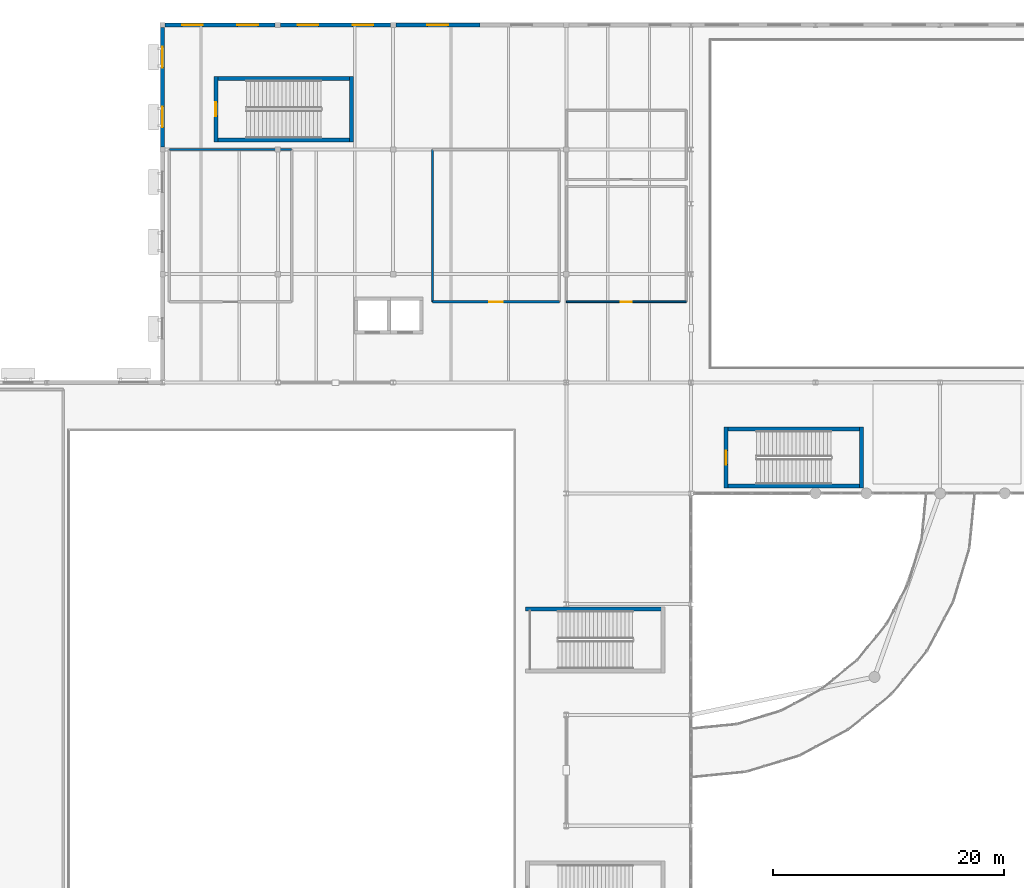
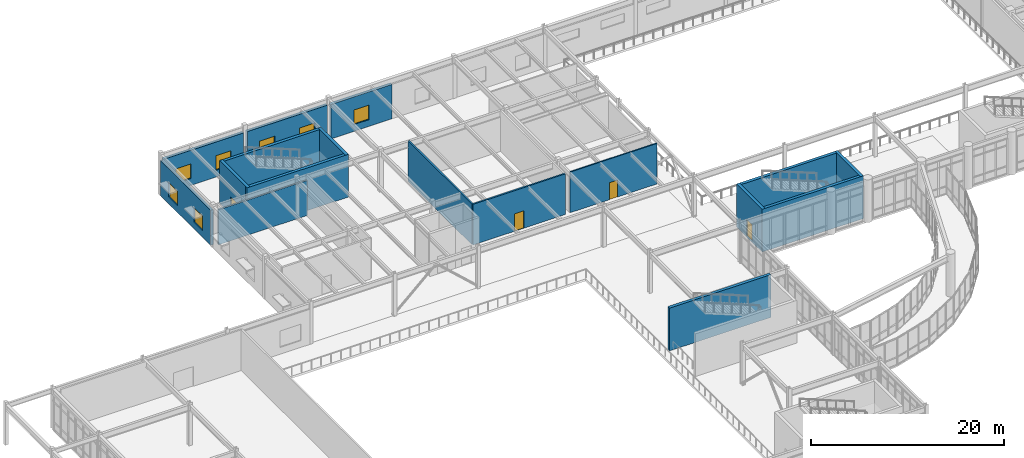
# One storey, part 50 of 72: 17 walls, 7 windows, 4 doors, 11 openings.
"""IFC4 building model written with IfcOpenShell, lengths in metres."""

from ifc_helpers import new_model, si_unit, direction, frame, frame_2d, origin, place, context, subcontext, project, spatial, rectangle, extrude, material, layer, layer_set, type_object, element, fill, save


model = new_model("IFC4")

# Units and contexts
model_context = context("Model", 3, precision=1e-05, world=origin(), true_north=direction((0.0, 1.0)))
body_context = subcontext(model_context, "Body", "Model", "MODEL_VIEW")
ifc_project = project(units=[si_unit("LENGTHUNIT", "METRE"), si_unit("AREAUNIT", "SQUARE_METRE"), si_unit("VOLUMEUNIT", "CUBIC_METRE"), si_unit("PLANEANGLEUNIT", "RADIAN"), si_unit("MASSUNIT", "GRAM", prefix="KILO")], contexts=[model_context])

# Site, building, storey
site_placement = place(None, origin())
site = spatial("IfcSite", under=ifc_project, at=site_placement, CompositionType="ELEMENT")
building_placement = place(site_placement, origin())
building = spatial("IfcBuilding", under=site, at=building_placement, Name="Veldera Park Congress Hotel", CompositionType="ELEMENT")
storey_placement = place(building_placement, frame((0.0, 0.0, 5.39990234375)))
storey = spatial("IfcBuildingStorey", under=building, at=storey_placement, Name="L01", CompositionType="ELEMENT", Elevation=5.39990234375)

# Wall, openings, windows
ifc_material_1 = material(Name="Cross-laminated timber CLT V2M1.1", Category="wood")
ifc_layer_1 = layer(ifc_material_1, 0.320068359375)
ifc_layer_set_1 = layer_set([ifc_layer_1], Name="Cross-laminated timber CLT V2M1.1")
wall_type_1 = type_object("IfcWallType", Name="EW-CLT320", PredefinedType="STANDARD", material=ifc_layer_set_1)
wall_1_placement = place(storey_placement, frame((-47.39990234375, 57.777099609375, 0.0), z_axis=(0.0, 0.0, 1.0), x_axis=(0.0, -1.0, 0.0)))
wall_1 = element("IfcWall", 1, at=wall_1_placement, inside=storey, type_object=wall_type_1, Name="L01 Exterior Wall EW3-L01-0052", PredefinedType="STANDARD", context=body_context, shape_type="SweptSolid", body=[
    extrude(rectangle(XDim=10.35400390625, YDim=0.320068359375, at=frame_2d((5.177001953125, 0.0))), origin(), (0.0, 0.0, 1.0), 4.43212890625),
])
opening_1_placement = place(wall_1_placement, frame((1.6884765625, 0.0, 0.85009765625)))
opening_1 = element("IfcOpeningElement", 2, at=opening_1_placement, cuts=wall_1, Name="Opening WIN-1800", PredefinedType="OPENING", context=body_context, shape_type="SweptSolid", body=[
    extrude(rectangle(XDim=1.800048828125, YDim=1.85009765625, at=frame_2d((0.89990234375, 0.925048828125))), frame((0.0, 0.172119140625, 0.0), z_axis=(0.0, -1.0, 0.0), x_axis=(1.0, 0.0, 0.0)), (0.0, 0.0, 1.0), 0.343994140625),
])
opening_2_placement = place(wall_1_placement, frame((6.865478515625, 0.0, 0.85009765625)))
opening_2 = element("IfcOpeningElement", 3, at=opening_2_placement, cuts=wall_1, Name="Opening WIN-1800", PredefinedType="OPENING", context=body_context, shape_type="SweptSolid", body=[
    extrude(rectangle(XDim=1.800048828125, YDim=1.85009765625, at=frame_2d((0.89990234375, 0.925048828125))), frame((0.0, 0.172119140625, 0.0), z_axis=(0.0, -1.0, 0.0), x_axis=(1.0, 0.0, 0.0)), (0.0, 0.0, 1.0), 0.343994140625),
])
ifc_material_2 = material(Name="Low-E Triple Insulating Glass Unit (SHGC 0.22)", Category="glass")
window_type = type_object("IfcWindowType", Name="WIN-1800", PartitioningType="SINGLE_PANEL", PredefinedType="WINDOW", material=ifc_material_2)
window_1_placement = place(opening_1_placement, origin())
window_1 = element("IfcWindow", 4, at=window_1_placement, inside=storey, type_object=window_type, Name="L01 Window WIN-1800 59", OverallHeight=1.85009765625, OverallWidth=1.800048828125, PartitioningType="SINGLE_PANEL", PredefinedType="WINDOW", context=body_context, shape_type="SweptSolid", body=[
    extrude(rectangle(XDim=1.800048828125, YDim=1.85009765625, at=frame_2d((0.89990234375, 0.925048828125))), frame((0.0, 0.030029296875, 0.0), z_axis=(0.0, -1.0, 0.0), x_axis=(1.0, 0.0, 0.0)), (0.0, 0.0, 1.0), 0.06005859375),
])
fill(opening_1, window_1)
window_2_placement = place(opening_2_placement, origin())
window_2 = element("IfcWindow", 5, at=window_2_placement, inside=storey, type_object=window_type, Name="L01 Window WIN-1800 60", OverallHeight=1.85009765625, OverallWidth=1.800048828125, PartitioningType="SINGLE_PANEL", PredefinedType="WINDOW", context=body_context, shape_type="SweptSolid", body=[
    extrude(rectangle(XDim=1.800048828125, YDim=1.85009765625, at=frame_2d((0.89990234375, 0.925048828125))), frame((0.0, 0.030029296875, 0.0), z_axis=(0.0, -1.0, 0.0), x_axis=(1.0, 0.0, 0.0)), (0.0, 0.0, 1.0), 0.06005859375),
])
fill(opening_2, window_2)

# Wall, opening, window
ifc_material_3 = material(Name="Architectural Sandstone Cladding (ASTM C616)", Category="masonry")
ifc_layer_2 = layer(ifc_material_3, 0.360107421875)
ifc_layer_set_2 = layer_set([ifc_layer_2], Name="Architectural Sandstone Cladding (ASTM C616)")
wall_type_2 = type_object("IfcWallType", Name="EW-STONE360", PredefinedType="STANDARD", material=ifc_layer_set_2)
wall_2_placement = place(storey_placement, frame((-19.89794921875, 58.0, 0.0), z_axis=(0.0, 0.0, 1.0), x_axis=(-1.0, 0.0, 0.0)))
wall_2 = element("IfcWall", 6, at=wall_2_placement, inside=storey, type_object=wall_type_2, Name="L01 Exterior Wall EW3-L01-0057", PredefinedType="STANDARD", context=body_context, shape_type="SweptSolid", body=[
    extrude(rectangle(XDim=7.279052734375, YDim=0.360107421875, at=frame_2d((3.6396484375, 0.0))), origin(), (0.0, 0.0, 1.0), 4.34619140625),
])
opening_3_placement = place(wall_2_placement, frame((2.739501953125, 0.0, 0.85009765625)))
opening_3 = element("IfcOpeningElement", 7, at=opening_3_placement, cuts=wall_2, Name="Opening WIN-1800", PredefinedType="OPENING", context=body_context, shape_type="SweptSolid", body=[
    extrude(rectangle(XDim=1.800048828125, YDim=1.85009765625, at=frame_2d((0.89990234375, 0.925048828125))), frame((0.0, 0.192138671875, 0.0), z_axis=(0.0, -1.0, 0.0), x_axis=(1.0, 0.0, 0.0)), (0.0, 0.0, 1.0), 0.384033203125),
])
window_3_placement = place(opening_3_placement, origin())
window_3 = element("IfcWindow", 8, at=window_3_placement, inside=storey, type_object=window_type, Name="L01 Window WIN-1800 67", OverallHeight=1.85009765625, OverallWidth=1.800048828125, PartitioningType="SINGLE_PANEL", PredefinedType="WINDOW", context=body_context, shape_type="SweptSolid", body=[
    extrude(rectangle(XDim=1.800048828125, YDim=1.85009765625, at=frame_2d((0.89990234375, 0.925048828125))), frame((0.0, 0.030029296875, 0.0), z_axis=(0.0, -1.0, 0.0), x_axis=(1.0, 0.0, 0.0)), (0.0, 0.0, 1.0), 0.06005859375),
])
fill(opening_3, window_3)

# Wall, openings, windows
wall_3_placement = place(storey_placement, frame((-27.623046875, 58.0, 0.0), z_axis=(0.0, 0.0, 1.0), x_axis=(-1.0, 0.0, 0.0)))
wall_3 = element("IfcWall", 9, at=wall_3_placement, inside=storey, type_object=wall_type_2, Name="L01 Exterior Wall EW3-L01-0058", PredefinedType="STANDARD", context=body_context, shape_type="SweptSolid", body=[
    extrude(rectangle(XDim=9.553955078125, YDim=0.360107421875, at=frame_2d((4.77685546875, 0.0))), origin(), (0.0, 0.0, 1.0), 4.424072265625),
])
opening_4_placement = place(wall_3_placement, frame((1.488525390625, 0.0, 0.85009765625)))
opening_4 = element("IfcOpeningElement", 10, at=opening_4_placement, cuts=wall_3, Name="Opening WIN-1800", PredefinedType="OPENING", context=body_context, shape_type="SweptSolid", body=[
    extrude(rectangle(XDim=1.800048828125, YDim=1.85009765625, at=frame_2d((0.89990234375, 0.925048828125))), frame((0.0, 0.192138671875, 0.0), z_axis=(0.0, -1.0, 0.0), x_axis=(1.0, 0.0, 0.0)), (0.0, 0.0, 1.0), 0.384033203125),
])
opening_5_placement = place(wall_3_placement, frame((6.265380859375, 0.0, 0.85009765625)))
opening_5 = element("IfcOpeningElement", 11, at=opening_5_placement, cuts=wall_3, Name="Opening WIN-1800", PredefinedType="OPENING", context=body_context, shape_type="SweptSolid", body=[
    extrude(rectangle(XDim=1.800048828125, YDim=1.85009765625, at=frame_2d((0.89990234375, 0.925048828125))), frame((0.0, 0.192138671875, 0.0), z_axis=(0.0, -1.0, 0.0), x_axis=(1.0, 0.0, 0.0)), (0.0, 0.0, 1.0), 0.384033203125),
])
window_4_placement = place(opening_4_placement, origin())
window_4 = element("IfcWindow", 12, at=window_4_placement, inside=storey, type_object=window_type, Name="L01 Window WIN-1800 68", OverallHeight=1.85009765625, OverallWidth=1.800048828125, PartitioningType="SINGLE_PANEL", PredefinedType="WINDOW", context=body_context, shape_type="SweptSolid", body=[
    extrude(rectangle(XDim=1.800048828125, YDim=1.85009765625, at=frame_2d((0.89990234375, 0.925048828125))), frame((0.0, 0.030029296875, 0.0), z_axis=(0.0, -1.0, 0.0), x_axis=(1.0, 0.0, 0.0)), (0.0, 0.0, 1.0), 0.06005859375),
])
fill(opening_4, window_4)
window_5_placement = place(opening_5_placement, origin())
window_5 = element("IfcWindow", 13, at=window_5_placement, inside=storey, type_object=window_type, Name="L01 Window WIN-1800 69", OverallHeight=1.85009765625, OverallWidth=1.800048828125, PartitioningType="SINGLE_PANEL", PredefinedType="WINDOW", context=body_context, shape_type="SweptSolid", body=[
    extrude(rectangle(XDim=1.800048828125, YDim=1.85009765625, at=frame_2d((0.89990234375, 0.925048828125))), frame((0.0, 0.030029296875, 0.0), z_axis=(0.0, -1.0, 0.0), x_axis=(1.0, 0.0, 0.0)), (0.0, 0.0, 1.0), 0.06005859375),
])
fill(opening_5, window_5)

wall_4_placement = place(storey_placement, frame((-37.623046875, 58.0, 0.0), z_axis=(0.0, 0.0, 1.0), x_axis=(-1.0, 0.0, 0.0)))
wall_4 = element("IfcWall", 14, at=wall_4_placement, inside=storey, type_object=wall_type_2, Name="L01 Exterior Wall EW3-L01-0059", PredefinedType="STANDARD", context=body_context, shape_type="SweptSolid", body=[
    extrude(rectangle(XDim=9.553955078125, YDim=0.360107421875, at=frame_2d((4.77685546875, 0.0))), origin(), (0.0, 0.0, 1.0), 4.424072265625),
])
opening_6_placement = place(wall_4_placement, frame((1.488525390625, 0.0, 0.85009765625)))
opening_6 = element("IfcOpeningElement", 15, at=opening_6_placement, cuts=wall_4, Name="Opening WIN-1800", PredefinedType="OPENING", context=body_context, shape_type="SweptSolid", body=[
    extrude(rectangle(XDim=1.800048828125, YDim=1.85009765625, at=frame_2d((0.89990234375, 0.925048828125))), frame((0.0, 0.192138671875, 0.0), z_axis=(0.0, -1.0, 0.0), x_axis=(1.0, 0.0, 0.0)), (0.0, 0.0, 1.0), 0.384033203125),
])
opening_7_placement = place(wall_4_placement, frame((6.265380859375, 0.0, 0.85009765625)))
opening_7 = element("IfcOpeningElement", 16, at=opening_7_placement, cuts=wall_4, Name="Opening WIN-1800", PredefinedType="OPENING", context=body_context, shape_type="SweptSolid", body=[
    extrude(rectangle(XDim=1.800048828125, YDim=1.85009765625, at=frame_2d((0.89990234375, 0.925048828125))), frame((0.0, 0.192138671875, 0.0), z_axis=(0.0, -1.0, 0.0), x_axis=(1.0, 0.0, 0.0)), (0.0, 0.0, 1.0), 0.384033203125),
])
window_6_placement = place(opening_6_placement, origin())
window_6 = element("IfcWindow", 17, at=window_6_placement, inside=storey, type_object=window_type, Name="L01 Window WIN-1800 70", OverallHeight=1.85009765625, OverallWidth=1.800048828125, PartitioningType="SINGLE_PANEL", PredefinedType="WINDOW", context=body_context, shape_type="SweptSolid", body=[
    extrude(rectangle(XDim=1.800048828125, YDim=1.85009765625, at=frame_2d((0.89990234375, 0.925048828125))), frame((0.0, 0.030029296875, 0.0), z_axis=(0.0, -1.0, 0.0), x_axis=(1.0, 0.0, 0.0)), (0.0, 0.0, 1.0), 0.06005859375),
])
fill(opening_6, window_6)
window_7_placement = place(opening_7_placement, origin())
window_7 = element("IfcWindow", 18, at=window_7_placement, inside=storey, type_object=window_type, Name="L01 Window WIN-1800 71", OverallHeight=1.85009765625, OverallWidth=1.800048828125, PartitioningType="SINGLE_PANEL", PredefinedType="WINDOW", context=body_context, shape_type="SweptSolid", body=[
    extrude(rectangle(XDim=1.800048828125, YDim=1.85009765625, at=frame_2d((0.89990234375, 0.925048828125))), frame((0.0, 0.030029296875, 0.0), z_axis=(0.0, -1.0, 0.0), x_axis=(1.0, 0.0, 0.0)), (0.0, 0.0, 1.0), 0.06005859375),
])
fill(opening_7, window_7)

# Wall
ifc_material_4 = material(Name="Fire-Rated Gypsum Board on Cold-Formed Steel Studs", Category="steel")
ifc_layer_3 = layer(ifc_material_4, 0.195068359375)
ifc_layer_set_3 = layer_set([ifc_layer_3], Name="Fire-Rated Gypsum Board on Cold-Formed Steel Studs")
wall_type_3 = type_object("IfcWallType", Name="IW-CORR195", PredefinedType="PARTITIONING", material=ifc_layer_set_3)
wall_5_placement = place(storey_placement, frame((-36.199951171875, 47.199951171875, 0.0), z_axis=(0.0, 0.0, 1.0), x_axis=(-1.0, 0.0, 0.0)))
element("IfcWall", 19, at=wall_5_placement, inside=storey, type_object=wall_type_3, Name="L01 Partition Wall IW3-L01-00099", PredefinedType="PARTITIONING", context=body_context, shape_type="SweptSolid", body=[
    extrude(rectangle(XDim=10.60009765625, YDim=0.195068359375, at=frame_2d((5.300048828125, 0.0))), origin(), (0.0, 0.0, 1.0), 4.424072265625),
])

# Wall, opening, door
wall_6_placement = place(storey_placement, frame((-24.0, 34.0, 0.0), z_axis=(0.0, 0.0, 1.0), x_axis=(1.0, 0.0, 0.0)))
wall_6 = element("IfcWall", 20, at=wall_6_placement, inside=storey, type_object=wall_type_3, Name="L01 Partition Wall IW3-L01-00101", PredefinedType="PARTITIONING", context=body_context, shape_type="SweptSolid", body=[
    extrude(rectangle(XDim=11.0, YDim=0.195068359375, at=frame_2d((5.5, 0.0))), origin(), (0.0, 0.0, 1.0), 5.130126953125),
])
opening_8_placement = place(wall_6_placement, frame((4.925048828125, 0.0, 0.0)))
opening_8 = element("IfcOpeningElement", 21, at=opening_8_placement, cuts=wall_6, Name="Opening ID-MEET115", PredefinedType="OPENING", context=body_context, shape_type="SweptSolid", body=[
    extrude(rectangle(XDim=1.14990234375, YDim=2.199951171875, at=frame_2d((0.574951171875, 1.10009765625))), frame((0.0, 0.109619140625, 0.0), z_axis=(0.0, -1.0, 0.0), x_axis=(1.0, 0.0, 0.0)), (0.0, 0.0, 1.0), 0.218994140625),
])
ifc_material_5 = material(Name="Solid Core White Oak Architectural Door", Category="wood")
door_type_1 = type_object("IfcDoorType", Name="ID-MEET115", OperationType="NOTDEFINED", PredefinedType="DOOR", material=ifc_material_5)
door_1_placement = place(opening_8_placement, origin())
door_1 = element("IfcDoor", 22, at=door_1_placement, inside=storey, type_object=door_type_1, Name="L01 Simultaneous Interpretation and Broadcast Hub Door ID3-L01-0037 (DR3-ID3-L01-0037)", OperationType="SINGLE_SWING_RIGHT", OverallHeight=2.199951171875, OverallWidth=1.14990234375, PredefinedType="DOOR", context=body_context, shape_type="SweptSolid", body=[
    extrude(rectangle(XDim=1.14990234375, YDim=2.199951171875, at=frame_2d((0.574951171875, 1.10009765625))), frame((0.0, 0.02490234375, 0.0), z_axis=(0.0, -1.0, 0.0), x_axis=(1.0, 0.0, 0.0)), (0.0, 0.0, 1.0), 0.050048828125),
])
fill(opening_8, door_1)

# Wall
wall_7_placement = place(storey_placement, frame((-24.0, 47.199951171875, 0.0), z_axis=(0.0, 0.0, 1.0), x_axis=(0.0, -1.0, 0.0)))
element("IfcWall", 23, at=wall_7_placement, inside=storey, type_object=wall_type_3, Name="L01 Partition Wall IW3-L01-00104", PredefinedType="PARTITIONING", context=body_context, shape_type="SweptSolid", body=[
    extrude(rectangle(XDim=13.199951171875, YDim=0.195068359375, at=frame_2d((6.60009765625, 0.0))), origin(), (0.0, 0.0, 1.0), 5.130126953125),
])

# Wall, opening, door
ifc_layer_4 = layer(ifc_material_4, 0.14990234375)
ifc_layer_set_4 = layer_set([ifc_layer_4], Name="Fire-Rated Gypsum Board on Cold-Formed Steel Studs")
wall_type_4 = type_object("IfcWallType", Name="IW-PLMB150", PredefinedType="PLUMBINGWALL", material=ifc_layer_set_4)
wall_8_placement = place(storey_placement, frame((-12.39990234375, 34.0, 0.0), z_axis=(0.0, 0.0, 1.0), x_axis=(1.0, 0.0, 0.0)))
wall_8 = element("IfcWall", 24, at=wall_8_placement, inside=storey, type_object=wall_type_4, Name="L01 Partition Wall IW3-L01-00105", PredefinedType="PLUMBINGWALL", context=body_context, shape_type="SweptSolid", body=[
    extrude(rectangle(XDim=10.39990234375, YDim=0.14990234375, at=frame_2d((5.199951171875, 0.0))), origin(), (0.0, 0.0, 1.0), 5.130126953125),
])
opening_9_placement = place(wall_8_placement, frame((4.72509765625, 0.0, 0.0)))
opening_9 = element("IfcOpeningElement", 25, at=opening_9_placement, cuts=wall_8, Name="Opening ID-WC095", PredefinedType="OPENING", context=body_context, shape_type="SweptSolid", body=[
    extrude(rectangle(XDim=0.949951171875, YDim=2.14990234375, at=frame_2d((0.47509765625, 1.074951171875))), frame((0.0, 0.0869140625, 0.0), z_axis=(0.0, -1.0, 0.0), x_axis=(1.0, 0.0, 0.0)), (0.0, 0.0, 1.0), 0.173828125),
])
door_type_2 = type_object("IfcDoorType", Name="ID-WC095", OperationType="NOTDEFINED", PredefinedType="DOOR", material=ifc_material_5)
door_2_placement = place(opening_9_placement, origin())
door_2 = element("IfcDoor", 26, at=door_2_placement, inside=storey, type_object=door_type_2, Name="L01 Mezzanine Male and Female WC Door ID3-L01-0038 (DR3-ID3-L01-0038)", OperationType="SINGLE_SWING_LEFT", OverallHeight=2.14990234375, OverallWidth=0.949951171875, PredefinedType="DOOR", context=body_context, shape_type="SweptSolid", body=[
    extrude(rectangle(XDim=0.949951171875, YDim=2.14990234375, at=frame_2d((0.47509765625, 1.074951171875))), frame((0.0, 0.02490234375, 0.0), z_axis=(0.0, -1.0, 0.0), x_axis=(1.0, 0.0, 0.0)), (0.0, 0.0, 1.0), 0.050048828125),
])
fill(opening_9, door_2)

# Walls
ifc_material_6 = material(Name="Concrete f'c 40 MPa (5,800 psi)", Category="concrete")
ifc_layer_5 = layer(ifc_material_6, 0.35009765625)
ifc_layer_set_5 = layer_set([ifc_layer_5], Name="Concrete f'c 40 MPa (5,800 psi)")
wall_type_5 = type_object("IfcWallType", Name="SW-CORE350", PredefinedType="SHEAR", material=ifc_layer_set_5)
wall_9_placement = place(storey_placement, frame((-42.949951171875, 48.02490234375, 0.0), z_axis=(0.0, 0.0, 1.0), x_axis=(1.0, 0.0, 0.0)))
element("IfcWall", 27, at=wall_9_placement, inside=storey, type_object=wall_type_5, Name="Stair ST4 Core Wall L01-S", PredefinedType="SHEAR", context=body_context, shape_type="SweptSolid", body=[
    extrude(rectangle(XDim=12.099853515625, YDim=0.35009765625, at=frame_2d((6.0498046875, 0.0))), origin(), (0.0, 0.0, 1.0), 5.400146484375),
])
wall_10_placement = place(storey_placement, frame((-31.02490234375, 47.85009765625, 0.0), z_axis=(0.0, 0.0, 1.0), x_axis=(0.0, 1.0, 0.0)))
element("IfcWall", 28, at=wall_10_placement, inside=storey, type_object=wall_type_5, Name="Stair ST4 Core Wall L01-E", PredefinedType="SHEAR", context=body_context, shape_type="SweptSolid", body=[
    extrude(rectangle(XDim=5.699951171875, YDim=0.35009765625, at=frame_2d((2.85009765625, 0.0))), origin(), (0.0, 0.0, 1.0), 5.400146484375),
])
wall_11_placement = place(storey_placement, frame((-30.85009765625, 53.375, 0.0), z_axis=(0.0, 0.0, 1.0), x_axis=(-1.0, 0.0, 0.0)))
element("IfcWall", 29, at=wall_11_placement, inside=storey, type_object=wall_type_5, Name="Stair ST4 Core Wall L01-N", PredefinedType="SHEAR", context=body_context, shape_type="SweptSolid", body=[
    extrude(rectangle(XDim=12.099853515625, YDim=0.35009765625, at=frame_2d((6.0498046875, 0.0))), origin(), (0.0, 0.0, 1.0), 5.400146484375),
])

# Wall, opening, door
wall_12_placement = place(storey_placement, frame((-42.77490234375, 53.550048828125, 0.0), z_axis=(0.0, 0.0, 1.0), x_axis=(0.0, -1.0, 0.0)))
wall_12 = element("IfcWall", 30, at=wall_12_placement, inside=storey, type_object=wall_type_5, Name="Stair ST4 Core Wall L01-W", PredefinedType="SHEAR", context=body_context, shape_type="SweptSolid", body=[
    extrude(rectangle(XDim=5.699951171875, YDim=0.35009765625, at=frame_2d((2.85009765625, 0.0))), origin(), (0.0, 0.0, 1.0), 5.400146484375),
])
opening_10_placement = place(wall_12_placement, frame((2.25, 0.0, 0.0)))
opening_10 = element("IfcOpeningElement", 31, at=opening_10_placement, cuts=wall_12, Name="Opening ID-STAIR120", PredefinedType="OPENING", context=body_context, shape_type="SweptSolid", body=[
    extrude(rectangle(XDim=1.199951171875, YDim=2.199951171875, at=frame_2d((0.60009765625, 1.10009765625))), frame((0.0, 0.18701171875, 0.0), z_axis=(0.0, -1.0, 0.0), x_axis=(1.0, 0.0, 0.0)), (0.0, 0.0, 1.0), 0.3740234375),
])
ifc_material_7 = material(Name="Hollow Metal Fire-Rated Steel Door", Category="steel")
door_type_3 = type_object("IfcDoorType", Name="ID-STAIR120", OperationType="NOTDEFINED", PredefinedType="DOOR", material=ifc_material_7)
door_3_placement = place(opening_10_placement, origin())
door_3 = element("IfcDoor", 32, at=door_3_placement, inside=storey, type_object=door_type_3, Name="L01 Stair ST4 Fire Door (DR3-SD-ST4-L01)", OperationType="SINGLE_SWING_LEFT", OverallHeight=2.199951171875, OverallWidth=1.199951171875, PredefinedType="DOOR", context=body_context, shape_type="SweptSolid", body=[
    extrude(rectangle(XDim=1.199951171875, YDim=2.199951171875, at=frame_2d((0.60009765625, 1.10009765625))), frame((0.0, 0.02490234375, 0.0), z_axis=(0.0, -1.0, 0.0), x_axis=(1.0, 0.0, 0.0)), (0.0, 0.0, 1.0), 0.050048828125),
])
fill(opening_10, door_3)

# Walls
wall_13_placement = place(storey_placement, frame((1.25, 18.02490234375, 0.0), z_axis=(0.0, 0.0, 1.0), x_axis=(1.0, 0.0, 0.0)))
element("IfcWall", 33, at=wall_13_placement, inside=storey, type_object=wall_type_5, Name="Stair ST6 Core Wall L01-S", PredefinedType="SHEAR", context=body_context, shape_type="SweptSolid", body=[
    extrude(rectangle(XDim=12.10009765625, YDim=0.35009765625, at=frame_2d((6.050048828125, 0.0))), origin(), (0.0, 0.0, 1.0), 5.400146484375),
])
wall_14_placement = place(storey_placement, frame((13.175048828125, 17.85009765625, 0.0), z_axis=(0.0, 0.0, 1.0), x_axis=(0.0, 1.0, 0.0)))
element("IfcWall", 34, at=wall_14_placement, inside=storey, type_object=wall_type_5, Name="Stair ST6 Core Wall L01-E", PredefinedType="SHEAR", context=body_context, shape_type="SweptSolid", body=[
    extrude(rectangle(XDim=5.2998046875, YDim=0.35009765625, at=frame_2d((2.64990234375, 0.0))), origin(), (0.0, 0.0, 1.0), 5.400146484375),
])
wall_15_placement = place(storey_placement, frame((13.35009765625, 22.97509765625, 0.0), z_axis=(0.0, 0.0, 1.0), x_axis=(-1.0, 0.0, 0.0)))
element("IfcWall", 35, at=wall_15_placement, inside=storey, type_object=wall_type_5, Name="Stair ST6 Core Wall L01-N", PredefinedType="SHEAR", context=body_context, shape_type="SweptSolid", body=[
    extrude(rectangle(XDim=12.10009765625, YDim=0.35009765625, at=frame_2d((6.050048828125, 0.0))), origin(), (0.0, 0.0, 1.0), 5.400146484375),
])

# Wall, opening, door
wall_16_placement = place(storey_placement, frame((1.425048828125, 23.14990234375, 0.0), z_axis=(0.0, 0.0, 1.0), x_axis=(0.0, -1.0, 0.0)))
wall_16 = element("IfcWall", 36, at=wall_16_placement, inside=storey, type_object=wall_type_5, Name="Stair ST6 Core Wall L01-W", PredefinedType="SHEAR", context=body_context, shape_type="SweptSolid", body=[
    extrude(rectangle(XDim=5.2998046875, YDim=0.35009765625, at=frame_2d((2.64990234375, 0.0))), origin(), (0.0, 0.0, 1.0), 5.400146484375),
])
opening_11_placement = place(wall_16_placement, frame((2.050048828125, 0.0, 0.0)))
opening_11 = element("IfcOpeningElement", 37, at=opening_11_placement, cuts=wall_16, Name="Opening ID-STAIR120", PredefinedType="OPENING", context=body_context, shape_type="SweptSolid", body=[
    extrude(rectangle(XDim=1.199951171875, YDim=2.199951171875, at=frame_2d((0.60009765625, 1.10009765625))), frame((0.0, 0.18701171875, 0.0), z_axis=(0.0, -1.0, 0.0), x_axis=(1.0, 0.0, 0.0)), (0.0, 0.0, 1.0), 0.3740234375),
])
door_4_placement = place(opening_11_placement, origin())
door_4 = element("IfcDoor", 38, at=door_4_placement, inside=storey, type_object=door_type_3, Name="L01 Stair ST6 Fire Door (DR3-SD-ST6-L01)", OperationType="SINGLE_SWING_RIGHT", OverallHeight=2.199951171875, OverallWidth=1.199951171875, PredefinedType="DOOR", context=body_context, shape_type="SweptSolid", body=[
    extrude(rectangle(XDim=1.199951171875, YDim=2.199951171875, at=frame_2d((0.60009765625, 1.10009765625))), frame((0.0, 0.02490234375, 0.0), z_axis=(0.0, -1.0, 0.0), x_axis=(1.0, 0.0, 0.0)), (0.0, 0.0, 1.0), 0.050048828125),
])
fill(opening_11, door_4)

# Wall
wall_17_placement = place(storey_placement, frame((-3.85009765625, 7.375, 0.0), z_axis=(0.0, 0.0, 1.0), x_axis=(-1.0, 0.0, 0.0)))
element("IfcWall", 39, at=wall_17_placement, inside=storey, type_object=wall_type_5, Name="Monumental Stair ST9 Wall L01-N", PredefinedType="SHEAR", context=body_context, shape_type="SweptSolid", body=[
    extrude(rectangle(XDim=12.099853515625, YDim=0.35009765625, at=frame_2d((6.0498046875, 0.0))), origin(), (0.0, 0.0, 1.0), 5.400146484375),
])

save(model, "model.ifc")
